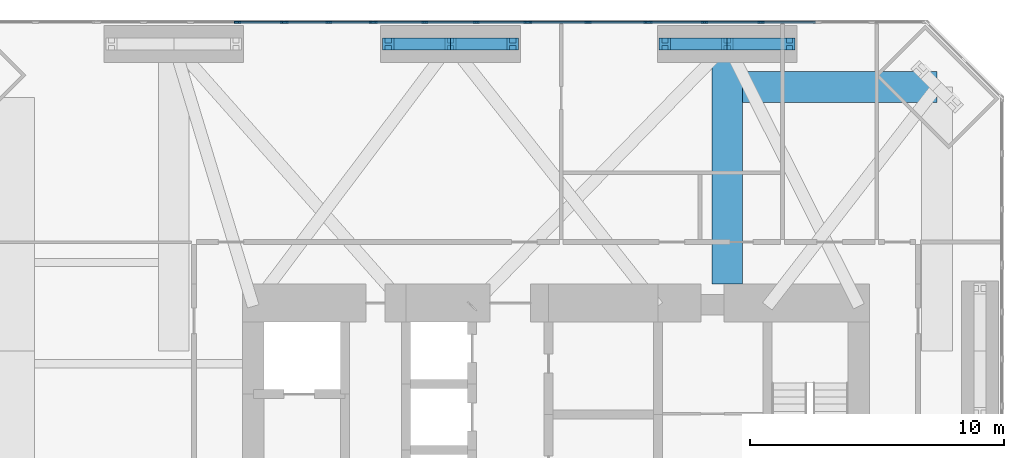
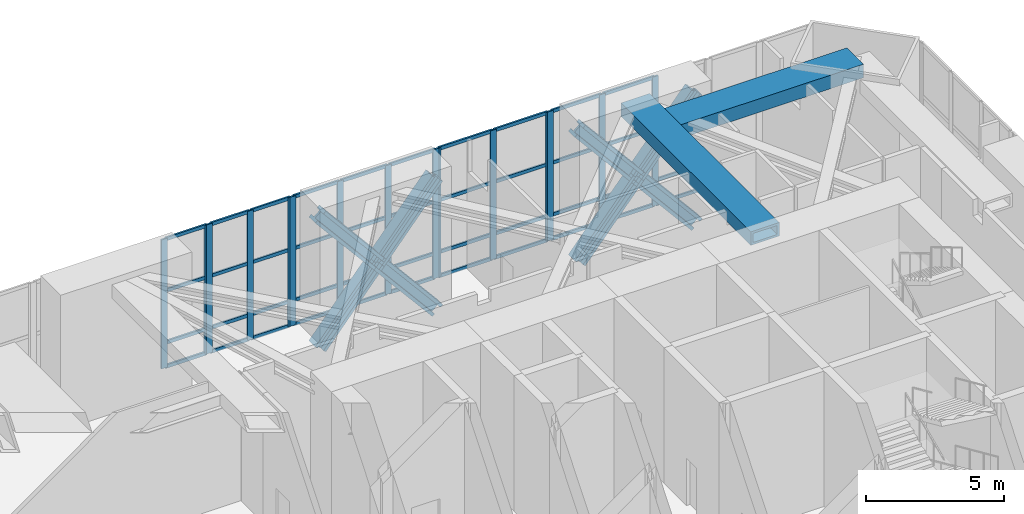
# One storey, part 8 of 18: 65 members, 2 beams, 5 elements without a shape of their own.
"""IFC4 building model written with IfcOpenShell, lengths in metres."""

from ifc_helpers import new_model, si_unit, direction, frame, origin, origin_2d, place, context, subcontext, project, spatial, rectangle, hollow_rectangle, i_section, extrude, material, material_profile, profile_set, type_object, element, aggregate, save


model = new_model("IFC4")

# Units and contexts
model_context = context("Model", 3, precision=1e-05, world=origin(), true_north=direction((0.0, 1.0)))
body_context = subcontext(model_context, "Body", "Model", "MODEL_VIEW")
ifc_project = project(units=[si_unit("LENGTHUNIT", "METRE"), si_unit("AREAUNIT", "SQUARE_METRE"), si_unit("VOLUMEUNIT", "CUBIC_METRE"), si_unit("PLANEANGLEUNIT", "RADIAN"), si_unit("MASSUNIT", "GRAM", prefix="KILO")], contexts=[model_context])

# Site, building, storey
site_placement = place(None, origin())
site = spatial("IfcSite", under=ifc_project, at=site_placement, CompositionType="ELEMENT")
building_placement = place(site_placement, origin())
building = spatial("IfcBuilding", under=site, at=building_placement, Name="Jalousie Tower", CompositionType="ELEMENT")
storey_placement = place(building_placement, frame((0.0, 0.0, 138.35009765625)))
storey = spatial("IfcBuildingStorey", under=building, at=storey_placement, Name="L38", CompositionType="ELEMENT", Elevation=138.35009765625)

# Beams
ifc_material_1 = material(Name="Steel ASTM A572 Grade 50 plate", Category="steel")
ifc_material_profile_1 = material_profile(ifc_material_1, hollow_rectangle(XDim=1.199951171875, YDim=0.60009765625, WallThickness=0.10009765625, at=origin_2d()), Name="BOX 600x1200x100")
ifc_profile_set_1 = profile_set([ifc_material_profile_1], Name="Steel ASTM A572 Grade 50 plate")
beam_type = type_object("IfcBeamType", Name="KINK TIE BOX 600x1200x100", PredefinedType="BEAM", material=ifc_profile_set_1)
beam_1_placement = place(storey_placement, frame((38.625, 37.050048828125, 5.419921875), z_axis=(0.0, -1.0, 0.0), x_axis=(1.0, 0.0, 0.0)))
element("IfcBeam", 1, at=beam_1_placement, inside=storey, type_object=beam_type, Name="Kink tie under L39", PredefinedType="BEAM", context=body_context, shape_type="SweptSolid", body=[
    extrude(hollow_rectangle(XDim=1.199951171875, YDim=0.60009765625, WallThickness=0.10009765625, at=origin_2d()), origin(), (0.0, 0.0, 1.0), 9.425048828125),
])
beam_2_placement = place(storey_placement, frame((46.86865234375, 35.36865234375, 5.419921875), z_axis=(-1.0, 0.0, 0.0), x_axis=(0.0, -1.0, 0.0)))
element("IfcBeam", 2, at=beam_2_placement, inside=storey, type_object=beam_type, Name="Kink tie under L39", PredefinedType="BEAM", context=body_context, shape_type="SweptSolid", body=[
    extrude(hollow_rectangle(XDim=1.199951171875, YDim=0.60009765625, WallThickness=0.10009765625, at=origin_2d()), origin(), (0.0, 0.0, 1.0), 7.6435546875),
])

# Members
ifc_material_2 = material(Name="Steel ASTM A992 Grade 50", Category="steel")
ifc_material_profile_2 = material_profile(ifc_material_2, i_section(OverallWidth=0.472412109375, OverallDepth=0.5791015625, WebThickness=0.094970703125, FlangeThickness=0.1298828125, at=origin_2d()), Name="W14X808")
ifc_profile_set_2 = profile_set([ifc_material_profile_2], Name="Steel ASTM A992 Grade 50")
member_type_1 = type_object("IfcMemberType", Name="PERIMETER BRACE W14X808", PredefinedType="BRACE", material=ifc_profile_set_2)
for number, where, z_axis, x_axis, name in (
    (3, (36.175048828125, 37.050048828125, -0.60009765625), (0.642101988506, 0.0, 0.766619225141), (0.0, 1.0, 0.0), "Perimeter brace 09 L38 part 1"),
    (4, (38.625, 37.050048828125, 2.324951171875), (0.642101988506, 0.0, 0.766619225141), (0.0, 1.0, 0.0), "Perimeter brace 09 L38 part 2"),
    (5, (41.074951171875, 37.050048828125, -0.60009765625), (-0.642101988506, 0.0, 0.766619225141), (0.0, -1.0, 0.0), "Perimeter brace 09 L38 part 3"),
    (6, (38.625, 37.050048828125, 2.324951171875), (-0.642101988506, 0.0, 0.766619225141), (0.0, -1.0, 0.0), "Perimeter brace 09 L38 part 4"),
    (7, (25.300048828125, 37.050048828125, -0.60009765625), (0.642101988506, 0.0, 0.766619225141), (0.0, 1.0, 0.0), "Perimeter brace 10 L38 part 1"),
    (8, (27.75, 37.050048828125, 2.324951171875), (0.642101988506, 0.0, 0.766619225141), (0.0, 1.0, 0.0), "Perimeter brace 10 L38 part 2"),
    (9, (30.199951171875, 37.050048828125, -0.60009765625), (-0.642101988506, 0.0, 0.766619225141), (0.0, -1.0, 0.0), "Perimeter brace 10 L38 part 3"),
    (10, (27.75, 37.050048828125, 2.324951171875), (-0.642101988506, 0.0, 0.766619225141), (0.0, -1.0, 0.0), "Perimeter brace 10 L38 part 4"),
):
    element("IfcMember", number, at=place(storey_placement, frame(where, z_axis=z_axis, x_axis=x_axis)), inside=storey, type_object=member_type_1, Name=name, PredefinedType="BRACE", context=body_context, shape_type="SweptSolid", body=[
        extrude(i_section(OverallWidth=0.472412109375, OverallDepth=0.5791015625, WebThickness=0.094970703125, FlangeThickness=0.1298828125, at=origin_2d()), origin(), (0.0, 0.0, 1.0), 3.8154296875),
    ])

# Curtain wall, members
ifc_material_3 = material(Name="Aluminium curtain wall", Category="aluminium")
curtain_wall_type_1 = type_object("IfcCurtainWallType", Name="SKY LOUNGE SPANDREL WALL", PredefinedType="USERDEFINED", material=ifc_material_3)
curtain_wall_1_placement = place(storey_placement, origin())
curtain_wall_1 = element("IfcCurtainWall", 11, at=curtain_wall_1_placement, inside=storey, type_object=curtain_wall_type_1, Name="Sky Lounge Spandrel Wall L38 42", ObjectType="SKY LOUNGE SPANDREL WALL", PredefinedType="USERDEFINED")
ifc_material_4 = material(Name="Aluminium mullion", Category="aluminium")
ifc_material_profile_3 = material_profile(ifc_material_4, rectangle(XDim=0.074951171875, YDim=0.25, at=origin_2d()), Name="MULLION 75x250")
ifc_profile_set_3 = profile_set([ifc_material_profile_3], Name="Aluminium mullion")
member_type_2 = type_object("IfcMemberType", Name="SKY LOUNGE SPANDREL WALL MULLION", PredefinedType="MULLION", material=ifc_profile_set_3)
member_1_placement = place(storey_placement, frame((39.945068359375, 37.91259765625, 0.0), z_axis=(0.0, 0.0, 1.0), x_axis=(0.0, -1.0, 0.0)))
member_1 = element("IfcMember", 12, at=member_1_placement, type_object=member_type_2, Name="CW-KS mullion 2", PredefinedType="MULLION", context=body_context, shape_type="SweptSolid", body=[
    extrude(rectangle(XDim=0.074951171875, YDim=0.25, at=origin_2d()), origin(), (0.0, 0.0, 1.0), 5.719970703125),
])
member_2_placement = place(storey_placement, frame((37.72998046875, 37.91259765625, 0.0), z_axis=(0.0, 0.0, 1.0), x_axis=(0.0, -1.0, 0.0)))
member_2 = element("IfcMember", 13, at=member_2_placement, type_object=member_type_2, Name="CW-KS mullion 3", PredefinedType="MULLION", context=body_context, shape_type="SweptSolid", body=[
    extrude(rectangle(XDim=0.074951171875, YDim=0.25, at=origin_2d()), origin(), (0.0, 0.0, 1.0), 5.719970703125),
])
member_3_placement = place(storey_placement, frame((35.552490234375, 37.91259765625, 0.0), z_axis=(0.0, 0.0, 1.0), x_axis=(0.0, -1.0, 0.0)))
member_3 = element("IfcMember", 14, at=member_3_placement, type_object=member_type_2, Name="CW-KS mullion 4", PredefinedType="MULLION", context=body_context, shape_type="SweptSolid", body=[
    extrude(rectangle(XDim=0.074951171875, YDim=0.25, at=origin_2d()), origin(), (0.0, 0.0, 1.0), 5.719970703125),
])

curtain_wall_2_placement = place(storey_placement, origin())
curtain_wall_2 = element("IfcCurtainWall", 15, at=curtain_wall_2_placement, inside=storey, type_object=curtain_wall_type_1, Name="Sky Lounge Spandrel Wall L38 44", ObjectType="SKY LOUNGE SPANDREL WALL", PredefinedType="USERDEFINED")
member_4_placement = place(storey_placement, frame((30.751953125, 37.91259765625, 0.0), z_axis=(0.0, 0.0, 1.0), x_axis=(0.0, -1.0, 0.0)))
member_4 = element("IfcMember", 16, at=member_4_placement, type_object=member_type_2, Name="CW-KS mullion 1", PredefinedType="MULLION", context=body_context, shape_type="SweptSolid", body=[
    extrude(rectangle(XDim=0.074951171875, YDim=0.25, at=origin_2d()), origin(), (0.0, 0.0, 1.0), 5.719970703125),
])
member_5_placement = place(storey_placement, frame((28.76318359375, 37.91259765625, 0.0), z_axis=(0.0, 0.0, 1.0), x_axis=(0.0, -1.0, 0.0)))
member_5 = element("IfcMember", 17, at=member_5_placement, type_object=member_type_2, Name="CW-KS mullion 2", PredefinedType="MULLION", context=body_context, shape_type="SweptSolid", body=[
    extrude(rectangle(XDim=0.074951171875, YDim=0.25, at=origin_2d()), origin(), (0.0, 0.0, 1.0), 5.719970703125),
])
member_6_placement = place(storey_placement, frame((26.73681640625, 37.91259765625, 0.0), z_axis=(0.0, 0.0, 1.0), x_axis=(0.0, -1.0, 0.0)))
member_6 = element("IfcMember", 18, at=member_6_placement, type_object=member_type_2, Name="CW-KS mullion 3", PredefinedType="MULLION", context=body_context, shape_type="SweptSolid", body=[
    extrude(rectangle(XDim=0.074951171875, YDim=0.25, at=origin_2d()), origin(), (0.0, 0.0, 1.0), 5.719970703125),
])
member_7_placement = place(storey_placement, frame((24.748046875, 37.91259765625, 0.0), z_axis=(0.0, 0.0, 1.0), x_axis=(0.0, -1.0, 0.0)))
member_7 = element("IfcMember", 19, at=member_7_placement, type_object=member_type_2, Name="CW-KS mullion 4", PredefinedType="MULLION", context=body_context, shape_type="SweptSolid", body=[
    extrude(rectangle(XDim=0.074951171875, YDim=0.25, at=origin_2d()), origin(), (0.0, 0.0, 1.0), 5.719970703125),
])

curtain_wall_3_placement = place(storey_placement, origin())
curtain_wall_3 = element("IfcCurtainWall", 20, at=curtain_wall_3_placement, inside=storey, type_object=curtain_wall_type_1, Name="Sky Lounge Spandrel Wall L38 46", ObjectType="SKY LOUNGE SPANDREL WALL", PredefinedType="USERDEFINED")
member_8_placement = place(storey_placement, frame((21.1826171875, 37.91259765625, 0.0), z_axis=(0.0, 0.0, 1.0), x_axis=(0.0, -1.0, 0.0)))
member_8 = element("IfcMember", 21, at=member_8_placement, type_object=member_type_2, Name="CW-KS mullion 1", PredefinedType="MULLION", context=body_context, shape_type="SweptSolid", body=[
    extrude(rectangle(XDim=0.074951171875, YDim=0.25, at=origin_2d()), origin(), (0.0, 0.0, 1.0), 5.719970703125),
])
member_9_placement = place(storey_placement, frame((19.373779296875, 37.91259765625, 0.0), z_axis=(0.0, 0.0, 1.0), x_axis=(0.0, -1.0, 0.0)))
member_9 = element("IfcMember", 22, at=member_9_placement, type_object=member_type_2, Name="CW-KS mullion 2", PredefinedType="MULLION", context=body_context, shape_type="SweptSolid", body=[
    extrude(rectangle(XDim=0.074951171875, YDim=0.25, at=origin_2d()), origin(), (0.0, 0.0, 1.0), 5.719970703125),
])

# Member
ifc_material_5 = material(Name="Aluminium transom", Category="aluminium")
ifc_material_profile_4 = material_profile(ifc_material_5, rectangle(XDim=0.074951171875, YDim=0.14990234375, at=origin_2d()), Name="TRANSOM 75x150")
ifc_profile_set_4 = profile_set([ifc_material_profile_4], Name="Aluminium transom")
member_type_3 = type_object("IfcMemberType", Name="SKY LOUNGE SPANDREL WALL TRANSOM", PredefinedType="USERDEFINED", material=ifc_profile_set_4)
member_10_placement = place(storey_placement, frame((42.085205078125, 37.91259765625, 0.037353515625), z_axis=(-1.0, 0.0, 0.0), x_axis=(0.0, -1.0, 0.0)))
member_10 = element("IfcMember", 23, at=member_10_placement, type_object=member_type_3, Name="CW-KS transom 1.1", ObjectType="TRANSOM", PredefinedType="USERDEFINED", context=body_context, shape_type="SweptSolid", body=[
    extrude(rectangle(XDim=0.074951171875, YDim=0.14990234375, at=origin_2d()), origin(), (0.0, 0.0, 1.0), 2.1025390625),
])

member_11_placement = place(storey_placement, frame((42.085205078125, 37.91259765625, 1.099853515625), z_axis=(-1.0, 0.0, 0.0), x_axis=(0.0, -1.0, 0.0)))
member_11 = element("IfcMember", 24, at=member_11_placement, type_object=member_type_3, Name="CW-KS transom 1.2", ObjectType="TRANSOM", PredefinedType="USERDEFINED", context=body_context, shape_type="SweptSolid", body=[
    extrude(rectangle(XDim=0.074951171875, YDim=0.14990234375, at=origin_2d()), origin(), (0.0, 0.0, 1.0), 2.1025390625),
])

member_12_placement = place(storey_placement, frame((39.907470703125, 37.91259765625, 0.037353515625), z_axis=(-1.0, 0.0, 0.0), x_axis=(0.0, -1.0, 0.0)))
member_12 = element("IfcMember", 25, at=member_12_placement, type_object=member_type_3, Name="CW-KS transom 2.1", ObjectType="TRANSOM", PredefinedType="USERDEFINED", context=body_context, shape_type="SweptSolid", body=[
    extrude(rectangle(XDim=0.074951171875, YDim=0.14990234375, at=origin_2d()), origin(), (0.0, 0.0, 1.0), 2.139892578125),
])

member_13_placement = place(storey_placement, frame((39.907470703125, 37.91259765625, 1.099853515625), z_axis=(-1.0, 0.0, 0.0), x_axis=(0.0, -1.0, 0.0)))
member_13 = element("IfcMember", 26, at=member_13_placement, type_object=member_type_3, Name="CW-KS transom 2.2", ObjectType="TRANSOM", PredefinedType="USERDEFINED", context=body_context, shape_type="SweptSolid", body=[
    extrude(rectangle(XDim=0.074951171875, YDim=0.14990234375, at=origin_2d()), origin(), (0.0, 0.0, 1.0), 2.139892578125),
])

member_14_placement = place(storey_placement, frame((39.907470703125, 37.91259765625, 3.39990234375), z_axis=(-1.0, 0.0, 0.0), x_axis=(0.0, -1.0, 0.0)))
member_14 = element("IfcMember", 27, at=member_14_placement, type_object=member_type_3, Name="CW-KS transom 2.3", ObjectType="TRANSOM", PredefinedType="USERDEFINED", context=body_context, shape_type="SweptSolid", body=[
    extrude(rectangle(XDim=0.074951171875, YDim=0.14990234375, at=origin_2d()), origin(), (0.0, 0.0, 1.0), 2.139892578125),
])

member_15_placement = place(storey_placement, frame((39.907470703125, 37.91259765625, 5.682373046875), z_axis=(-1.0, 0.0, 0.0), x_axis=(0.0, -1.0, 0.0)))
member_15 = element("IfcMember", 28, at=member_15_placement, type_object=member_type_3, Name="CW-KS transom 2.4", ObjectType="TRANSOM", PredefinedType="USERDEFINED", context=body_context, shape_type="SweptSolid", body=[
    extrude(rectangle(XDim=0.074951171875, YDim=0.14990234375, at=origin_2d()), origin(), (0.0, 0.0, 1.0), 2.139892578125),
])

member_16_placement = place(storey_placement, frame((37.692626953125, 37.91259765625, 0.037353515625), z_axis=(-1.0, 0.0, 0.0), x_axis=(0.0, -1.0, 0.0)))
member_16 = element("IfcMember", 29, at=member_16_placement, type_object=member_type_3, Name="CW-KS transom 3.1", ObjectType="TRANSOM", PredefinedType="USERDEFINED", context=body_context, shape_type="SweptSolid", body=[
    extrude(rectangle(XDim=0.074951171875, YDim=0.14990234375, at=origin_2d()), origin(), (0.0, 0.0, 1.0), 2.1025390625),
])

member_17_placement = place(storey_placement, frame((37.692626953125, 37.91259765625, 1.099853515625), z_axis=(-1.0, 0.0, 0.0), x_axis=(0.0, -1.0, 0.0)))
member_17 = element("IfcMember", 30, at=member_17_placement, type_object=member_type_3, Name="CW-KS transom 3.2", ObjectType="TRANSOM", PredefinedType="USERDEFINED", context=body_context, shape_type="SweptSolid", body=[
    extrude(rectangle(XDim=0.074951171875, YDim=0.14990234375, at=origin_2d()), origin(), (0.0, 0.0, 1.0), 2.1025390625),
])

member_18_placement = place(storey_placement, frame((37.692626953125, 37.91259765625, 3.39990234375), z_axis=(-1.0, 0.0, 0.0), x_axis=(0.0, -1.0, 0.0)))
member_18 = element("IfcMember", 31, at=member_18_placement, type_object=member_type_3, Name="CW-KS transom 3.3", ObjectType="TRANSOM", PredefinedType="USERDEFINED", context=body_context, shape_type="SweptSolid", body=[
    extrude(rectangle(XDim=0.074951171875, YDim=0.14990234375, at=origin_2d()), origin(), (0.0, 0.0, 1.0), 2.1025390625),
])

member_19_placement = place(storey_placement, frame((37.692626953125, 37.91259765625, 5.682373046875), z_axis=(-1.0, 0.0, 0.0), x_axis=(0.0, -1.0, 0.0)))
member_19 = element("IfcMember", 32, at=member_19_placement, type_object=member_type_3, Name="CW-KS transom 3.4", ObjectType="TRANSOM", PredefinedType="USERDEFINED", context=body_context, shape_type="SweptSolid", body=[
    extrude(rectangle(XDim=0.074951171875, YDim=0.14990234375, at=origin_2d()), origin(), (0.0, 0.0, 1.0), 2.1025390625),
])

aggregate(curtain_wall_1, [member_1, member_2, member_3, member_10, member_11, member_12, member_13, member_14, member_15, member_16, member_17, member_18, member_19])

member_20_placement = place(storey_placement, frame((30.714599609375, 37.91259765625, 0.037353515625), z_axis=(-1.0, 0.0, 0.0), x_axis=(0.0, -1.0, 0.0)))
member_20 = element("IfcMember", 33, at=member_20_placement, type_object=member_type_3, Name="CW-KS transom 1.1", ObjectType="TRANSOM", PredefinedType="USERDEFINED", context=body_context, shape_type="SweptSolid", body=[
    extrude(rectangle(XDim=0.074951171875, YDim=0.14990234375, at=origin_2d()), origin(), (0.0, 0.0, 1.0), 1.913818359375),
])

member_21_placement = place(storey_placement, frame((30.714599609375, 37.91259765625, 1.099853515625), z_axis=(-1.0, 0.0, 0.0), x_axis=(0.0, -1.0, 0.0)))
member_21 = element("IfcMember", 34, at=member_21_placement, type_object=member_type_3, Name="CW-KS transom 1.2", ObjectType="TRANSOM", PredefinedType="USERDEFINED", context=body_context, shape_type="SweptSolid", body=[
    extrude(rectangle(XDim=0.074951171875, YDim=0.14990234375, at=origin_2d()), origin(), (0.0, 0.0, 1.0), 1.913818359375),
])

member_22_placement = place(storey_placement, frame((30.714599609375, 37.91259765625, 3.39990234375), z_axis=(-1.0, 0.0, 0.0), x_axis=(0.0, -1.0, 0.0)))
member_22 = element("IfcMember", 35, at=member_22_placement, type_object=member_type_3, Name="CW-KS transom 1.3", ObjectType="TRANSOM", PredefinedType="USERDEFINED", context=body_context, shape_type="SweptSolid", body=[
    extrude(rectangle(XDim=0.074951171875, YDim=0.14990234375, at=origin_2d()), origin(), (0.0, 0.0, 1.0), 1.913818359375),
])

member_23_placement = place(storey_placement, frame((30.714599609375, 37.91259765625, 5.682373046875), z_axis=(-1.0, 0.0, 0.0), x_axis=(0.0, -1.0, 0.0)))
member_23 = element("IfcMember", 36, at=member_23_placement, type_object=member_type_3, Name="CW-KS transom 1.4", ObjectType="TRANSOM", PredefinedType="USERDEFINED", context=body_context, shape_type="SweptSolid", body=[
    extrude(rectangle(XDim=0.074951171875, YDim=0.14990234375, at=origin_2d()), origin(), (0.0, 0.0, 1.0), 1.913818359375),
])

member_24_placement = place(storey_placement, frame((28.7255859375, 37.91259765625, 0.037353515625), z_axis=(-1.0, 0.0, 0.0), x_axis=(0.0, -1.0, 0.0)))
member_24 = element("IfcMember", 37, at=member_24_placement, type_object=member_type_3, Name="CW-KS transom 2.1", ObjectType="TRANSOM", PredefinedType="USERDEFINED", context=body_context, shape_type="SweptSolid", body=[
    extrude(rectangle(XDim=0.074951171875, YDim=0.14990234375, at=origin_2d()), origin(), (0.0, 0.0, 1.0), 1.951171875),
])

member_25_placement = place(storey_placement, frame((28.7255859375, 37.91259765625, 1.099853515625), z_axis=(-1.0, 0.0, 0.0), x_axis=(0.0, -1.0, 0.0)))
member_25 = element("IfcMember", 38, at=member_25_placement, type_object=member_type_3, Name="CW-KS transom 2.2", ObjectType="TRANSOM", PredefinedType="USERDEFINED", context=body_context, shape_type="SweptSolid", body=[
    extrude(rectangle(XDim=0.074951171875, YDim=0.14990234375, at=origin_2d()), origin(), (0.0, 0.0, 1.0), 1.951171875),
])

member_26_placement = place(storey_placement, frame((28.7255859375, 37.91259765625, 3.39990234375), z_axis=(-1.0, 0.0, 0.0), x_axis=(0.0, -1.0, 0.0)))
member_26 = element("IfcMember", 39, at=member_26_placement, type_object=member_type_3, Name="CW-KS transom 2.3", ObjectType="TRANSOM", PredefinedType="USERDEFINED", context=body_context, shape_type="SweptSolid", body=[
    extrude(rectangle(XDim=0.074951171875, YDim=0.14990234375, at=origin_2d()), origin(), (0.0, 0.0, 1.0), 1.951171875),
])

member_27_placement = place(storey_placement, frame((28.7255859375, 37.91259765625, 5.682373046875), z_axis=(-1.0, 0.0, 0.0), x_axis=(0.0, -1.0, 0.0)))
member_27 = element("IfcMember", 40, at=member_27_placement, type_object=member_type_3, Name="CW-KS transom 2.4", ObjectType="TRANSOM", PredefinedType="USERDEFINED", context=body_context, shape_type="SweptSolid", body=[
    extrude(rectangle(XDim=0.074951171875, YDim=0.14990234375, at=origin_2d()), origin(), (0.0, 0.0, 1.0), 1.951171875),
])

member_28_placement = place(storey_placement, frame((26.69921875, 37.91259765625, 0.037353515625), z_axis=(-1.0, 0.0, 0.0), x_axis=(0.0, -1.0, 0.0)))
member_28 = element("IfcMember", 41, at=member_28_placement, type_object=member_type_3, Name="CW-KS transom 3.1", ObjectType="TRANSOM", PredefinedType="USERDEFINED", context=body_context, shape_type="SweptSolid", body=[
    extrude(rectangle(XDim=0.074951171875, YDim=0.14990234375, at=origin_2d()), origin(), (0.0, 0.0, 1.0), 1.913818359375),
])

member_29_placement = place(storey_placement, frame((26.69921875, 37.91259765625, 1.099853515625), z_axis=(-1.0, 0.0, 0.0), x_axis=(0.0, -1.0, 0.0)))
member_29 = element("IfcMember", 42, at=member_29_placement, type_object=member_type_3, Name="CW-KS transom 3.2", ObjectType="TRANSOM", PredefinedType="USERDEFINED", context=body_context, shape_type="SweptSolid", body=[
    extrude(rectangle(XDim=0.074951171875, YDim=0.14990234375, at=origin_2d()), origin(), (0.0, 0.0, 1.0), 1.913818359375),
])

member_30_placement = place(storey_placement, frame((26.69921875, 37.91259765625, 3.39990234375), z_axis=(-1.0, 0.0, 0.0), x_axis=(0.0, -1.0, 0.0)))
member_30 = element("IfcMember", 43, at=member_30_placement, type_object=member_type_3, Name="CW-KS transom 3.3", ObjectType="TRANSOM", PredefinedType="USERDEFINED", context=body_context, shape_type="SweptSolid", body=[
    extrude(rectangle(XDim=0.074951171875, YDim=0.14990234375, at=origin_2d()), origin(), (0.0, 0.0, 1.0), 1.913818359375),
])

member_31_placement = place(storey_placement, frame((26.69921875, 37.91259765625, 5.682373046875), z_axis=(-1.0, 0.0, 0.0), x_axis=(0.0, -1.0, 0.0)))
member_31 = element("IfcMember", 44, at=member_31_placement, type_object=member_type_3, Name="CW-KS transom 3.4", ObjectType="TRANSOM", PredefinedType="USERDEFINED", context=body_context, shape_type="SweptSolid", body=[
    extrude(rectangle(XDim=0.074951171875, YDim=0.14990234375, at=origin_2d()), origin(), (0.0, 0.0, 1.0), 1.913818359375),
])

aggregate(curtain_wall_2, [member_4, member_5, member_6, member_7, member_20, member_21, member_22, member_23, member_24, member_25, member_26, member_27, member_28, member_29, member_30, member_31])

member_32_placement = place(storey_placement, frame((21.14501953125, 37.91259765625, 0.037353515625), z_axis=(-1.0, 0.0, 0.0), x_axis=(0.0, -1.0, 0.0)))
member_32 = element("IfcMember", 45, at=member_32_placement, type_object=member_type_3, Name="CW-KS transom 1.1", ObjectType="TRANSOM", PredefinedType="USERDEFINED", context=body_context, shape_type="SweptSolid", body=[
    extrude(rectangle(XDim=0.074951171875, YDim=0.14990234375, at=origin_2d()), origin(), (0.0, 0.0, 1.0), 1.733642578125),
])

member_33_placement = place(storey_placement, frame((21.14501953125, 37.91259765625, 1.099853515625), z_axis=(-1.0, 0.0, 0.0), x_axis=(0.0, -1.0, 0.0)))
member_33 = element("IfcMember", 46, at=member_33_placement, type_object=member_type_3, Name="CW-KS transom 1.2", ObjectType="TRANSOM", PredefinedType="USERDEFINED", context=body_context, shape_type="SweptSolid", body=[
    extrude(rectangle(XDim=0.074951171875, YDim=0.14990234375, at=origin_2d()), origin(), (0.0, 0.0, 1.0), 1.733642578125),
])

member_34_placement = place(storey_placement, frame((21.14501953125, 37.91259765625, 3.39990234375), z_axis=(-1.0, 0.0, 0.0), x_axis=(0.0, -1.0, 0.0)))
member_34 = element("IfcMember", 47, at=member_34_placement, type_object=member_type_3, Name="CW-KS transom 1.3", ObjectType="TRANSOM", PredefinedType="USERDEFINED", context=body_context, shape_type="SweptSolid", body=[
    extrude(rectangle(XDim=0.074951171875, YDim=0.14990234375, at=origin_2d()), origin(), (0.0, 0.0, 1.0), 1.733642578125),
])

member_35_placement = place(storey_placement, frame((21.14501953125, 37.91259765625, 5.682373046875), z_axis=(-1.0, 0.0, 0.0), x_axis=(0.0, -1.0, 0.0)))
member_35 = element("IfcMember", 48, at=member_35_placement, type_object=member_type_3, Name="CW-KS transom 1.4", ObjectType="TRANSOM", PredefinedType="USERDEFINED", context=body_context, shape_type="SweptSolid", body=[
    extrude(rectangle(XDim=0.074951171875, YDim=0.14990234375, at=origin_2d()), origin(), (0.0, 0.0, 1.0), 1.733642578125),
])

aggregate(curtain_wall_3, [member_8, member_9, member_32, member_33, member_34, member_35])

# Curtain wall, members
ifc_material_6 = material(Name="Aluminium curtain wall", Category="aluminium")
curtain_wall_type_2 = type_object("IfcCurtainWallType", Name="SKY LOUNGE WINDOW WALL", PredefinedType="USERDEFINED", material=ifc_material_6)
curtain_wall_4_placement = place(storey_placement, origin())
curtain_wall_4 = element("IfcCurtainWall", 49, at=curtain_wall_4_placement, inside=storey, type_object=curtain_wall_type_2, Name="Sky Lounge Window Wall L38 43", ObjectType="SKY LOUNGE WINDOW WALL", PredefinedType="USERDEFINED")
ifc_material_7 = material(Name="Aluminium mullion", Category="aluminium")
ifc_material_profile_5 = material_profile(ifc_material_7, rectangle(XDim=0.074951171875, YDim=0.25, at=origin_2d()), Name="MULLION 75x250")
ifc_profile_set_5 = profile_set([ifc_material_profile_5], Name="Aluminium mullion")
member_type_4 = type_object("IfcMemberType", Name="SKY LOUNGE WINDOW WALL MULLION", PredefinedType="MULLION", material=ifc_profile_set_5)
member_36_placement = place(storey_placement, frame((35.4775390625, 37.91259765625, 0.0), z_axis=(0.0, 0.0, 1.0), x_axis=(0.0, -1.0, 0.0)))
member_36 = element("IfcMember", 50, at=member_36_placement, type_object=member_type_4, Name="CW-K mullion 1", PredefinedType="MULLION", context=body_context, shape_type="SweptSolid", body=[
    extrude(rectangle(XDim=0.074951171875, YDim=0.25, at=origin_2d()), origin(), (0.0, 0.0, 1.0), 5.719970703125),
])
member_37_placement = place(storey_placement, frame((33.15234375, 37.91259765625, 0.0), z_axis=(0.0, 0.0, 1.0), x_axis=(0.0, -1.0, 0.0)))
member_37 = element("IfcMember", 51, at=member_37_placement, type_object=member_type_4, Name="CW-K mullion 2", PredefinedType="MULLION", context=body_context, shape_type="SweptSolid", body=[
    extrude(rectangle(XDim=0.074951171875, YDim=0.25, at=origin_2d()), origin(), (0.0, 0.0, 1.0), 5.719970703125),
])
member_38_placement = place(storey_placement, frame((30.826904296875, 37.91259765625, 0.0), z_axis=(0.0, 0.0, 1.0), x_axis=(0.0, -1.0, 0.0)))
member_38 = element("IfcMember", 52, at=member_38_placement, type_object=member_type_4, Name="CW-K mullion 3", PredefinedType="MULLION", context=body_context, shape_type="SweptSolid", body=[
    extrude(rectangle(XDim=0.074951171875, YDim=0.25, at=origin_2d()), origin(), (0.0, 0.0, 1.0), 5.719970703125),
])

curtain_wall_5_placement = place(storey_placement, origin())
curtain_wall_5 = element("IfcCurtainWall", 53, at=curtain_wall_5_placement, inside=storey, type_object=curtain_wall_type_2, Name="Sky Lounge Window Wall L38 45", ObjectType="SKY LOUNGE WINDOW WALL", PredefinedType="USERDEFINED")
member_39_placement = place(storey_placement, frame((24.673095703125, 37.91259765625, 0.0), z_axis=(0.0, 0.0, 1.0), x_axis=(0.0, -1.0, 0.0)))
member_39 = element("IfcMember", 54, at=member_39_placement, type_object=member_type_4, Name="CW-K mullion 1", PredefinedType="MULLION", context=body_context, shape_type="SweptSolid", body=[
    extrude(rectangle(XDim=0.074951171875, YDim=0.25, at=origin_2d()), origin(), (0.0, 0.0, 1.0), 5.719970703125),
])
member_40_placement = place(storey_placement, frame((22.96533203125, 37.91259765625, 0.0), z_axis=(0.0, 0.0, 1.0), x_axis=(0.0, -1.0, 0.0)))
member_40 = element("IfcMember", 55, at=member_40_placement, type_object=member_type_4, Name="CW-K mullion 2", PredefinedType="MULLION", context=body_context, shape_type="SweptSolid", body=[
    extrude(rectangle(XDim=0.074951171875, YDim=0.25, at=origin_2d()), origin(), (0.0, 0.0, 1.0), 5.719970703125),
])
member_41_placement = place(storey_placement, frame((21.257568359375, 37.91259765625, 0.0), z_axis=(0.0, 0.0, 1.0), x_axis=(0.0, -1.0, 0.0)))
member_41 = element("IfcMember", 56, at=member_41_placement, type_object=member_type_4, Name="CW-K mullion 3", PredefinedType="MULLION", context=body_context, shape_type="SweptSolid", body=[
    extrude(rectangle(XDim=0.074951171875, YDim=0.25, at=origin_2d()), origin(), (0.0, 0.0, 1.0), 5.719970703125),
])

# Member
ifc_material_8 = material(Name="Aluminium transom", Category="aluminium")
ifc_material_profile_6 = material_profile(ifc_material_8, rectangle(XDim=0.074951171875, YDim=0.14990234375, at=origin_2d()), Name="TRANSOM 75x150")
ifc_profile_set_6 = profile_set([ifc_material_profile_6], Name="Aluminium transom")
member_type_5 = type_object("IfcMemberType", Name="SKY LOUNGE WINDOW WALL TRANSOM", PredefinedType="USERDEFINED", material=ifc_profile_set_6)
member_42_placement = place(storey_placement, frame((35.43994140625, 37.91259765625, 0.037353515625), z_axis=(-1.0, 0.0, 0.0), x_axis=(0.0, -1.0, 0.0)))
member_42 = element("IfcMember", 57, at=member_42_placement, type_object=member_type_5, Name="CW-K transom 1.1", ObjectType="TRANSOM", PredefinedType="USERDEFINED", context=body_context, shape_type="SweptSolid", body=[
    extrude(rectangle(XDim=0.074951171875, YDim=0.14990234375, at=origin_2d()), origin(), (0.0, 0.0, 1.0), 2.250244140625),
])

member_43_placement = place(storey_placement, frame((35.43994140625, 37.91259765625, 1.099853515625), z_axis=(-1.0, 0.0, 0.0), x_axis=(0.0, -1.0, 0.0)))
member_43 = element("IfcMember", 58, at=member_43_placement, type_object=member_type_5, Name="CW-K transom 1.2", ObjectType="TRANSOM", PredefinedType="USERDEFINED", context=body_context, shape_type="SweptSolid", body=[
    extrude(rectangle(XDim=0.074951171875, YDim=0.14990234375, at=origin_2d()), origin(), (0.0, 0.0, 1.0), 2.250244140625),
])

member_44_placement = place(storey_placement, frame((35.43994140625, 37.91259765625, 3.39990234375), z_axis=(-1.0, 0.0, 0.0), x_axis=(0.0, -1.0, 0.0)))
member_44 = element("IfcMember", 59, at=member_44_placement, type_object=member_type_5, Name="CW-K transom 1.3", ObjectType="TRANSOM", PredefinedType="USERDEFINED", context=body_context, shape_type="SweptSolid", body=[
    extrude(rectangle(XDim=0.074951171875, YDim=0.14990234375, at=origin_2d()), origin(), (0.0, 0.0, 1.0), 2.250244140625),
])

member_45_placement = place(storey_placement, frame((35.43994140625, 37.91259765625, 5.682373046875), z_axis=(-1.0, 0.0, 0.0), x_axis=(0.0, -1.0, 0.0)))
member_45 = element("IfcMember", 60, at=member_45_placement, type_object=member_type_5, Name="CW-K transom 1.4", ObjectType="TRANSOM", PredefinedType="USERDEFINED", context=body_context, shape_type="SweptSolid", body=[
    extrude(rectangle(XDim=0.074951171875, YDim=0.14990234375, at=origin_2d()), origin(), (0.0, 0.0, 1.0), 2.250244140625),
])

member_46_placement = place(storey_placement, frame((33.11474609375, 37.91259765625, 0.037353515625), z_axis=(-1.0, 0.0, 0.0), x_axis=(0.0, -1.0, 0.0)))
member_46 = element("IfcMember", 61, at=member_46_placement, type_object=member_type_5, Name="CW-K transom 2.1", ObjectType="TRANSOM", PredefinedType="USERDEFINED", context=body_context, shape_type="SweptSolid", body=[
    extrude(rectangle(XDim=0.074951171875, YDim=0.14990234375, at=origin_2d()), origin(), (0.0, 0.0, 1.0), 2.250244140625),
])

member_47_placement = place(storey_placement, frame((33.11474609375, 37.91259765625, 1.099853515625), z_axis=(-1.0, 0.0, 0.0), x_axis=(0.0, -1.0, 0.0)))
member_47 = element("IfcMember", 62, at=member_47_placement, type_object=member_type_5, Name="CW-K transom 2.2", ObjectType="TRANSOM", PredefinedType="USERDEFINED", context=body_context, shape_type="SweptSolid", body=[
    extrude(rectangle(XDim=0.074951171875, YDim=0.14990234375, at=origin_2d()), origin(), (0.0, 0.0, 1.0), 2.250244140625),
])

member_48_placement = place(storey_placement, frame((33.11474609375, 37.91259765625, 3.39990234375), z_axis=(-1.0, 0.0, 0.0), x_axis=(0.0, -1.0, 0.0)))
member_48 = element("IfcMember", 63, at=member_48_placement, type_object=member_type_5, Name="CW-K transom 2.3", ObjectType="TRANSOM", PredefinedType="USERDEFINED", context=body_context, shape_type="SweptSolid", body=[
    extrude(rectangle(XDim=0.074951171875, YDim=0.14990234375, at=origin_2d()), origin(), (0.0, 0.0, 1.0), 2.250244140625),
])

member_49_placement = place(storey_placement, frame((33.11474609375, 37.91259765625, 5.682373046875), z_axis=(-1.0, 0.0, 0.0), x_axis=(0.0, -1.0, 0.0)))
member_49 = element("IfcMember", 64, at=member_49_placement, type_object=member_type_5, Name="CW-K transom 2.4", ObjectType="TRANSOM", PredefinedType="USERDEFINED", context=body_context, shape_type="SweptSolid", body=[
    extrude(rectangle(XDim=0.074951171875, YDim=0.14990234375, at=origin_2d()), origin(), (0.0, 0.0, 1.0), 2.250244140625),
])

aggregate(curtain_wall_4, [member_36, member_37, member_38, member_42, member_43, member_44, member_45, member_46, member_47, member_48, member_49])

member_50_placement = place(storey_placement, frame((24.635498046875, 37.91259765625, 0.037353515625), z_axis=(-1.0, 0.0, 0.0), x_axis=(0.0, -1.0, 0.0)))
member_50 = element("IfcMember", 65, at=member_50_placement, type_object=member_type_5, Name="CW-K transom 1.1", ObjectType="TRANSOM", PredefinedType="USERDEFINED", context=body_context, shape_type="SweptSolid", body=[
    extrude(rectangle(XDim=0.074951171875, YDim=0.14990234375, at=origin_2d()), origin(), (0.0, 0.0, 1.0), 1.6328125),
])

member_51_placement = place(storey_placement, frame((24.635498046875, 37.91259765625, 1.099853515625), z_axis=(-1.0, 0.0, 0.0), x_axis=(0.0, -1.0, 0.0)))
member_51 = element("IfcMember", 66, at=member_51_placement, type_object=member_type_5, Name="CW-K transom 1.2", ObjectType="TRANSOM", PredefinedType="USERDEFINED", context=body_context, shape_type="SweptSolid", body=[
    extrude(rectangle(XDim=0.074951171875, YDim=0.14990234375, at=origin_2d()), origin(), (0.0, 0.0, 1.0), 1.6328125),
])

member_52_placement = place(storey_placement, frame((24.635498046875, 37.91259765625, 3.39990234375), z_axis=(-1.0, 0.0, 0.0), x_axis=(0.0, -1.0, 0.0)))
member_52 = element("IfcMember", 67, at=member_52_placement, type_object=member_type_5, Name="CW-K transom 1.3", ObjectType="TRANSOM", PredefinedType="USERDEFINED", context=body_context, shape_type="SweptSolid", body=[
    extrude(rectangle(XDim=0.074951171875, YDim=0.14990234375, at=origin_2d()), origin(), (0.0, 0.0, 1.0), 1.6328125),
])

member_53_placement = place(storey_placement, frame((24.635498046875, 37.91259765625, 5.682373046875), z_axis=(-1.0, 0.0, 0.0), x_axis=(0.0, -1.0, 0.0)))
member_53 = element("IfcMember", 68, at=member_53_placement, type_object=member_type_5, Name="CW-K transom 1.4", ObjectType="TRANSOM", PredefinedType="USERDEFINED", context=body_context, shape_type="SweptSolid", body=[
    extrude(rectangle(XDim=0.074951171875, YDim=0.14990234375, at=origin_2d()), origin(), (0.0, 0.0, 1.0), 1.6328125),
])

member_54_placement = place(storey_placement, frame((22.927734375, 37.91259765625, 0.037353515625), z_axis=(-1.0, 0.0, 0.0), x_axis=(0.0, -1.0, 0.0)))
member_54 = element("IfcMember", 69, at=member_54_placement, type_object=member_type_5, Name="CW-K transom 2.1", ObjectType="TRANSOM", PredefinedType="USERDEFINED", context=body_context, shape_type="SweptSolid", body=[
    extrude(rectangle(XDim=0.074951171875, YDim=0.14990234375, at=origin_2d()), origin(), (0.0, 0.0, 1.0), 1.6328125),
])

member_55_placement = place(storey_placement, frame((22.927734375, 37.91259765625, 1.099853515625), z_axis=(-1.0, 0.0, 0.0), x_axis=(0.0, -1.0, 0.0)))
member_55 = element("IfcMember", 70, at=member_55_placement, type_object=member_type_5, Name="CW-K transom 2.2", ObjectType="TRANSOM", PredefinedType="USERDEFINED", context=body_context, shape_type="SweptSolid", body=[
    extrude(rectangle(XDim=0.074951171875, YDim=0.14990234375, at=origin_2d()), origin(), (0.0, 0.0, 1.0), 1.6328125),
])

member_56_placement = place(storey_placement, frame((22.927734375, 37.91259765625, 3.39990234375), z_axis=(-1.0, 0.0, 0.0), x_axis=(0.0, -1.0, 0.0)))
member_56 = element("IfcMember", 71, at=member_56_placement, type_object=member_type_5, Name="CW-K transom 2.3", ObjectType="TRANSOM", PredefinedType="USERDEFINED", context=body_context, shape_type="SweptSolid", body=[
    extrude(rectangle(XDim=0.074951171875, YDim=0.14990234375, at=origin_2d()), origin(), (0.0, 0.0, 1.0), 1.6328125),
])

member_57_placement = place(storey_placement, frame((22.927734375, 37.91259765625, 5.682373046875), z_axis=(-1.0, 0.0, 0.0), x_axis=(0.0, -1.0, 0.0)))
member_57 = element("IfcMember", 72, at=member_57_placement, type_object=member_type_5, Name="CW-K transom 2.4", ObjectType="TRANSOM", PredefinedType="USERDEFINED", context=body_context, shape_type="SweptSolid", body=[
    extrude(rectangle(XDim=0.074951171875, YDim=0.14990234375, at=origin_2d()), origin(), (0.0, 0.0, 1.0), 1.6328125),
])

aggregate(curtain_wall_5, [member_39, member_40, member_41, member_50, member_51, member_52, member_53, member_54, member_55, member_56, member_57])

save(model, "model.ifc")
